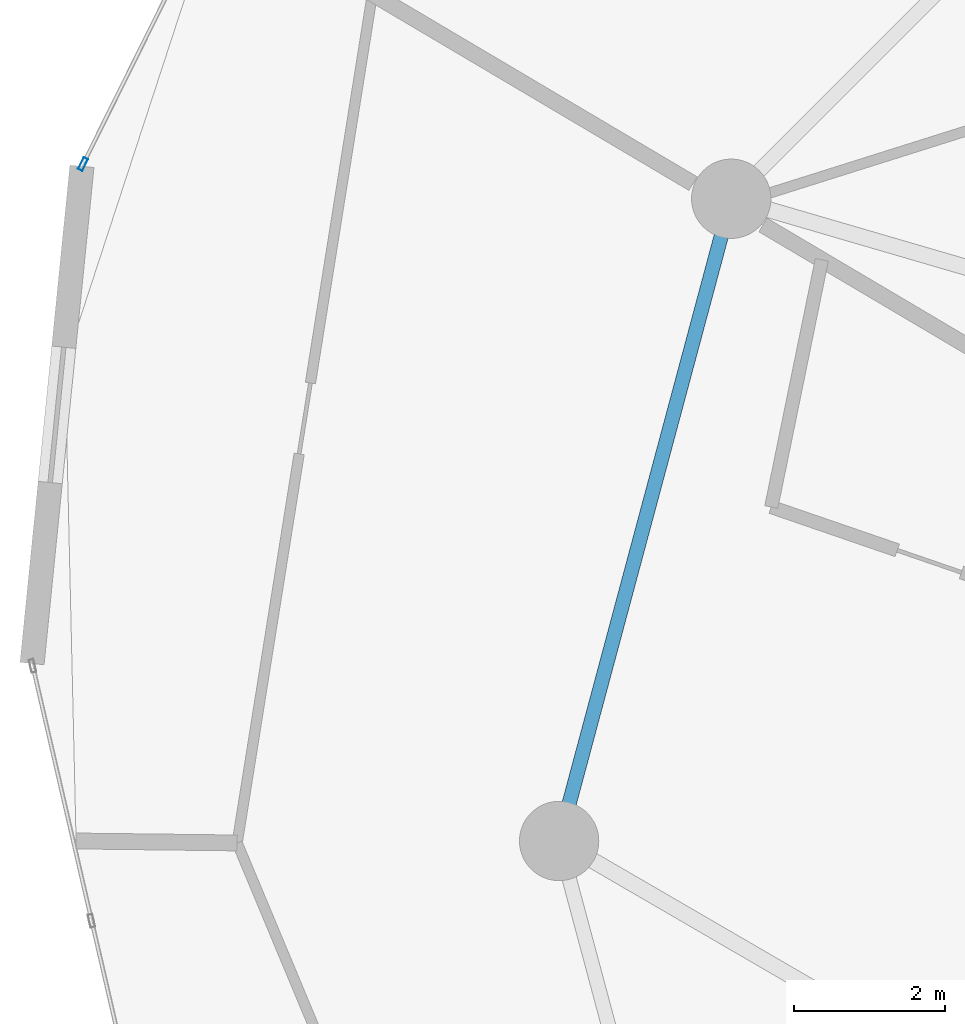
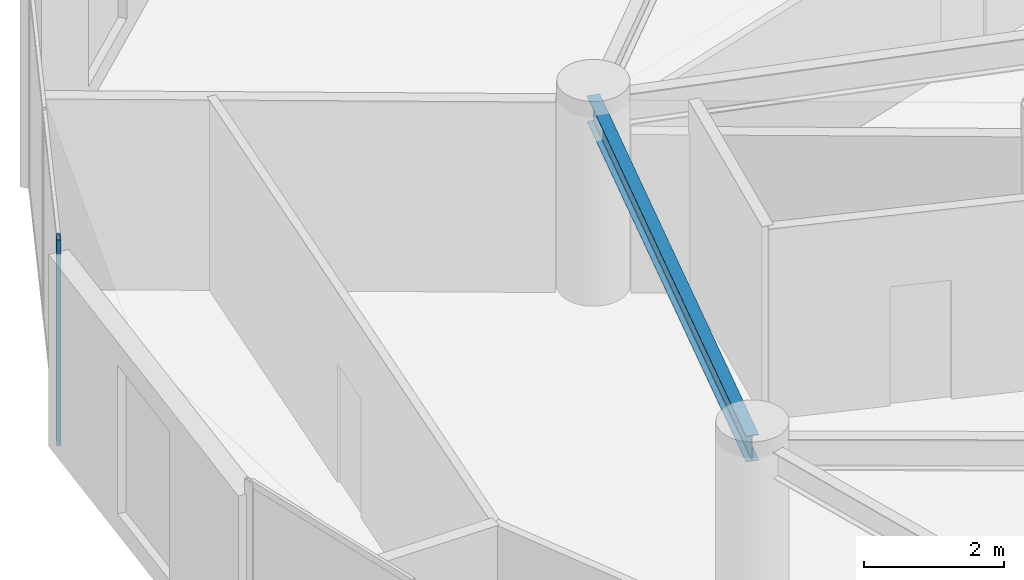
# One storey, part 8 of 25: 1 beam, 1 member, 1 element without a shape of its own.
"""IFC4 building model written with IfcOpenShell, lengths in metres."""

from ifc_helpers import new_model, si_unit, direction, frame, origin, origin_2d, place, context, subcontext, project, spatial, hollow_rectangle, i_section, extrude, source, transform, mapped, material, layer, layer_set, material_profile, profile_set, type_object, element, aggregate, save


model = new_model("IFC4")

# Units and contexts
model_context = context("Model", 3, precision=1e-05, world=origin(), true_north=direction((0.0, 1.0)))
body_context = subcontext(model_context, "Body", "Model", "MODEL_VIEW")
ifc_project = project(units=[si_unit("LENGTHUNIT", "METRE"), si_unit("AREAUNIT", "SQUARE_METRE"), si_unit("VOLUMEUNIT", "CUBIC_METRE"), si_unit("PLANEANGLEUNIT", "RADIAN"), si_unit("MASSUNIT", "GRAM", prefix="KILO")], contexts=[model_context])

# Site, building, storey
site_placement = place(None, origin())
site = spatial("IfcSite", under=ifc_project, at=site_placement, CompositionType="ELEMENT")
building_placement = place(site_placement, origin())
building = spatial("IfcBuilding", under=site, at=building_placement, Name="Solvirekh Grand Hotel", CompositionType="ELEMENT")
storey_placement = place(building_placement, frame((0.0, 0.0, 124.199951171875)))
storey = spatial("IfcBuildingStorey", under=building, at=storey_placement, Name="L31", CompositionType="ELEMENT", Elevation=124.199951171875)

# Beam
ifc_material_1 = material(Name="Steel S355", Category="steel")
ifc_material_profile_1 = material_profile(ifc_material_1, i_section(OverallWidth=0.18994140625, OverallDepth=0.45703125, WebThickness=0.009033203125, FlangeThickness=0.013916015625, FilletRadius=0.012939453125, at=origin_2d()), Name="W460X74")
ifc_profile_set_1 = profile_set([ifc_material_profile_1], Name="Steel S355")
beam_type = type_object("IfcBeamType", Name="Spandrel_Ring_W460", PredefinedType="SPANDREL", material=ifc_profile_set_1)
beam_placement = place(storey_placement, frame((-14.721923828125, 8.5, 3.1220703125), z_axis=(-0.258872908946, -0.965911391906, 0.0), x_axis=(0.965911391906, -0.258872908946, 0.0)))
element("IfcBeam", 1, at=beam_placement, inside=storey, type_object=beam_type, Name="L31 perimeter spandrel beam 6", PredefinedType="SPANDREL", context=body_context, shape_type="SweptSolid", body=[
    extrude(i_section(OverallWidth=0.18994140625, OverallDepth=0.45703125, WebThickness=0.009033203125, FlangeThickness=0.013916015625, FilletRadius=0.012939453125, at=origin_2d()), origin(), (0.0, 0.0, 1.0), 8.800048828125),
])

# Curtain wall, member
ifc_material_2 = material(Name="Anodized Bronze Aluminium 6063-T6", Category="aluminium")
ifc_layer = layer(ifc_material_2, 0.175048828125)
ifc_layer_set = layer_set([ifc_layer], Name="Anodized Bronze Aluminium 6063-T6")
curtain_wall_type = type_object("IfcCurtainWallType", Name="CW_Sys3_MidZoneFlushBronzeCW", PredefinedType="NOTDEFINED", material=ifc_layer_set)
curtain_wall_placement = place(storey_placement, origin())
curtain_wall = element("IfcCurtainWall", 2, at=curtain_wall_placement, inside=storey, type_object=curtain_wall_type, Name="L31 unitised bronze-glass curtain wall CW-L31-C11", PredefinedType="NOTDEFINED")
ifc_material_profile_2 = material_profile(ifc_material_2, hollow_rectangle(XDim=0.06494140625, YDim=0.175048828125, WallThickness=0.0048828125, at=origin_2d()), Name="ALU RHS 175X65X5")
ifc_profile_set_2 = profile_set([ifc_material_profile_2], Name="Anodized Bronze Aluminium 6063-T6")
member_type = type_object("IfcMemberType", Name="CWMullion_Sys3", PredefinedType="MULLION", material=ifc_profile_set_2)
shared_shape = source(origin(), body_context, "Body", "SweptSolid", [
    extrude(hollow_rectangle(XDim=0.06494140625, YDim=0.175048828125, WallThickness=0.0048828125, at=origin_2d()), origin(), (0.0, 0.0, 1.0), 3.60009765625),
])
member_placement = place(storey_placement, frame((-23.301513671875, 8.9580078125, 0.0), z_axis=(0.0, 0.0, 1.0), x_axis=(0.895866965892, -0.444322382313, 0.0)))
member = element("IfcMember", 3, at=member_placement, type_object=member_type, Name="U03 mullion 3", PredefinedType="MULLION", context=body_context, shape_type="MappedRepresentation", body=[
    mapped(shared_shape, transform((0.0, 0.0, 0.0), x_axis=(1.0, 0.0, 0.0), y_axis=(0.0, 1.0, 0.0), z_axis=(0.0, 0.0, 1.0), scale=1.0)),
])
aggregate(curtain_wall, [member])

save(model, "model.ifc")
